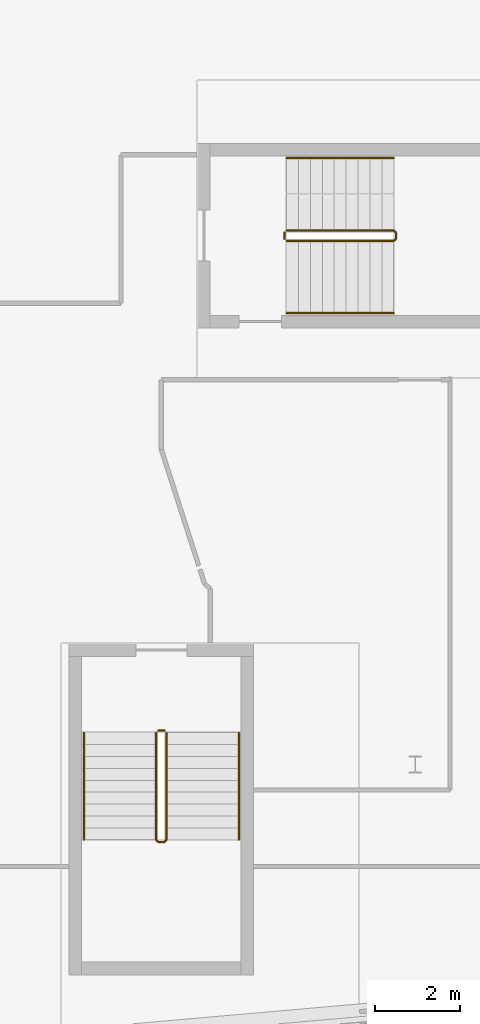
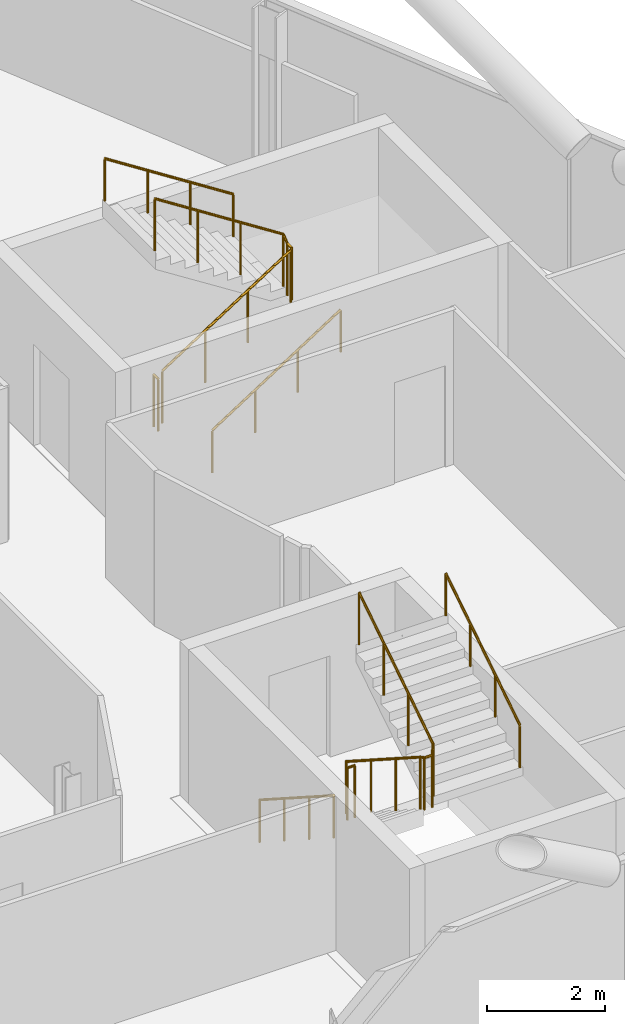
# One storey, part 26 of 27: 8 railings.
"""IFC4 building model written with IfcOpenShell, lengths in metres."""

from ifc_helpers import new_model, si_unit, direction, frame, origin, origin_2d, place, context, subcontext, project, spatial, circle, extrude, material, type_object, element, save


model = new_model("IFC4")

# Units and contexts
model_context = context("Model", 3, precision=1e-05, world=origin(), true_north=direction((0.0, 1.0)))
body_context = subcontext(model_context, "Body", "Model", "MODEL_VIEW")
ifc_project = project(units=[si_unit("LENGTHUNIT", "METRE"), si_unit("AREAUNIT", "SQUARE_METRE"), si_unit("VOLUMEUNIT", "CUBIC_METRE"), si_unit("PLANEANGLEUNIT", "RADIAN"), si_unit("MASSUNIT", "GRAM", prefix="KILO")], contexts=[model_context])

# Site, building, storey
site_placement = place(None, origin())
site = spatial("IfcSite", under=ifc_project, at=site_placement, CompositionType="ELEMENT")
building_placement = place(site_placement, origin())
building = spatial("IfcBuilding", under=site, at=building_placement, Name="Wharfspan Tower", CompositionType="ELEMENT")
storey_placement = place(building_placement, frame((0.0, 0.0, 243.100098)))
storey = spatial("IfcBuildingStorey", under=building, at=storey_placement, Name="L61", CompositionType="ELEMENT", Elevation=243.100098)

# Railings
ifc_material = material(Name="Steel S355J2", Category="steel")
railing_type_1 = type_object("IfcRailingType", Name="Stair guard 1100", PredefinedType="GUARDRAIL", material=ifc_material)
railing_1_placement = place(storey_placement, frame((65.893799, 12.246094, 0.179932)))
element("IfcRailing", 1, at=railing_1_placement, inside=storey, type_object=railing_type_1, Name="L61 ST5 stair guard 1", PredefinedType="GUARDRAIL", context=body_context, shape_type="SweptSolid", body=[
    extrude(circle(Radius=0.023926, at=origin_2d()), frame((0.0, 0.0, 1.076172), z_axis=(0.0, -0.8412, 0.540725), x_axis=(1.0, 0.0, 0.0)), (0.0, 0.0, 1.0), 2.99585),
    extrude(circle(Radius=0.023926, at=origin_2d()), frame((0.0, -2.52002, 2.695801), z_axis=(0.708834, -0.705376, 0.0), x_axis=(0.705376, 0.708834, 0.0)), (0.0, 0.0, 1.0), 0.070557),
    extrude(circle(Radius=0.023926, at=origin_2d()), frame((0.050049, -2.569824, 2.695801), z_axis=(1.0, 0.0, 0.0), x_axis=(0.0, 1.0, 0.0)), (0.0, 0.0, 1.0), 0.149902),
    extrude(circle(Radius=0.023926, at=origin_2d()), frame((0.199951, -2.569824, 2.695801), z_axis=(0.258628, 0.257366, 0.931061), x_axis=(-0.705372, 0.708838, -2e-06)), (0.0, 0.0, 1.0), 0.193604),
    extrude(circle(Radius=0.023926, at=origin_2d()), frame((0.25, -2.52002, 2.875977), z_axis=(0.0, 0.8412, 0.540725), x_axis=(-1.0, 0.0, 0.0)), (0.0, 0.0, 1.0), 2.99585),
    extrude(circle(Radius=0.020996, at=origin_2d()), origin(), (0.0, 0.0, 1.0), 1.052002),
    extrude(circle(Radius=0.020996, at=origin_2d()), frame((0.0, -0.840088, 0.540039)), (0.0, 0.0, 1.0), 1.052002),
    extrude(circle(Radius=0.020996, at=origin_2d()), frame((0.0, -1.679932, 1.079834)), (0.0, 0.0, 1.0), 1.052002),
    extrude(circle(Radius=0.020996, at=origin_2d()), frame((0.0, -2.52002, 1.619873)), (0.0, 0.0, 1.0), 1.052002),
    extrude(circle(Radius=0.020996, at=origin_2d()), frame((0.050049, -2.569824, 1.619873)), (0.0, 0.0, 1.0), 1.052002),
    extrude(circle(Radius=0.020996, at=origin_2d()), frame((0.199951, -2.569824, 1.619873)), (0.0, 0.0, 1.0), 1.052002),
    extrude(circle(Radius=0.020996, at=origin_2d()), frame((0.25, -2.52002, 1.800049)), (0.0, 0.0, 1.0), 1.052002),
    extrude(circle(Radius=0.020996, at=origin_2d()), frame((0.25, -1.679932, 2.340088)), (0.0, 0.0, 1.0), 1.052002),
    extrude(circle(Radius=0.020996, at=origin_2d()), frame((0.25, -0.840088, 2.879883)), (0.0, 0.0, 1.0), 1.052002),
    extrude(circle(Radius=0.020996, at=origin_2d()), frame((0.25, 0.0, 3.419922)), (0.0, 0.0, 1.0), 1.052002),
])
railing_2_placement = place(storey_placement, frame((65.943848, 12.296143, 0.0)))
element("IfcRailing", 2, at=railing_2_placement, inside=storey, type_object=railing_type_1, Name="L61 ST5 stair guard 2", PredefinedType="GUARDRAIL", context=body_context, shape_type="SweptSolid", body=[
    extrude(circle(Radius=0.023926, at=origin_2d()), frame((0.0, 0.0, 1.076172), z_axis=(1.0, 0.0, 0.0), x_axis=(0.0, 1.0, 0.0)), (0.0, 0.0, 1.0), 0.149902),
    extrude(circle(Radius=0.020996, at=origin_2d()), origin(), (0.0, 0.0, 1.0), 1.052002),
    extrude(circle(Radius=0.020996, at=origin_2d()), frame((0.149902, 0.0, 0.0)), (0.0, 0.0, 1.0), 1.052002),
])
railing_3_placement = place(storey_placement, frame((68.969482, 23.824951, 0.179932)))
element("IfcRailing", 3, at=railing_3_placement, inside=storey, type_object=railing_type_1, Name="L61 ST6 stair guard 1", PredefinedType="GUARDRAIL", context=body_context, shape_type="SweptSolid", body=[
    extrude(circle(Radius=0.023926, at=origin_2d()), frame((0.0, 0.0, 1.076172), z_axis=(0.8412, 0.0, 0.540725), x_axis=(0.0, 1.0, 0.0)), (0.0, 0.0, 1.0), 2.99585),
    extrude(circle(Radius=0.023926, at=origin_2d()), frame((2.52002, 0.0, 2.695801), z_axis=(0.707107, 0.707107, 0.0), x_axis=(-0.707107, 0.707107, 0.0)), (0.0, 0.0, 1.0), 0.070801),
    extrude(circle(Radius=0.023926, at=origin_2d()), frame((2.570068, 0.050049, 2.695801), z_axis=(0.0, 1.0, 0.0), x_axis=(-1.0, 0.0, 0.0)), (0.0, 0.0, 1.0), 0.149902),
    extrude(circle(Radius=0.023926, at=origin_2d()), frame((2.570068, 0.199951, 2.695801), z_axis=(-0.258544, 0.258544, 0.930758), x_axis=(-0.707107, -0.707107, 0.0)), (0.0, 0.0, 1.0), 0.193604),
    extrude(circle(Radius=0.023926, at=origin_2d()), frame((2.52002, 0.25, 2.875977), z_axis=(-0.8412, 0.0, 0.540725), x_axis=(0.0, -1.0, 0.0)), (0.0, 0.0, 1.0), 2.99585),
    extrude(circle(Radius=0.020996, at=origin_2d()), origin(), (0.0, 0.0, 1.0), 1.052002),
    extrude(circle(Radius=0.020996, at=origin_2d()), frame((0.840088, 0.0, 0.540039)), (0.0, 0.0, 1.0), 1.052002),
    extrude(circle(Radius=0.020996, at=origin_2d()), frame((1.679932, 0.0, 1.079834)), (0.0, 0.0, 1.0), 1.052002),
    extrude(circle(Radius=0.020996, at=origin_2d()), frame((2.52002, 0.0, 1.619873)), (0.0, 0.0, 1.0), 1.052002),
    extrude(circle(Radius=0.020996, at=origin_2d()), frame((2.570068, 0.050049, 1.619873)), (0.0, 0.0, 1.0), 1.052002),
    extrude(circle(Radius=0.020996, at=origin_2d()), frame((2.570068, 0.199951, 1.619873)), (0.0, 0.0, 1.0), 1.052002),
    extrude(circle(Radius=0.020996, at=origin_2d()), frame((2.52002, 0.25, 1.800049)), (0.0, 0.0, 1.0), 1.052002),
    extrude(circle(Radius=0.020996, at=origin_2d()), frame((1.679932, 0.25, 2.340088)), (0.0, 0.0, 1.0), 1.052002),
    extrude(circle(Radius=0.020996, at=origin_2d()), frame((0.840088, 0.25, 2.879883)), (0.0, 0.0, 1.0), 1.052002),
    extrude(circle(Radius=0.020996, at=origin_2d()), frame((0.0, 0.25, 3.419922)), (0.0, 0.0, 1.0), 1.052002),
])
railing_4_placement = place(storey_placement, frame((68.919678, 23.875, 0.0)))
element("IfcRailing", 4, at=railing_4_placement, inside=storey, type_object=railing_type_1, Name="L61 ST6 stair guard 2", PredefinedType="GUARDRAIL", context=body_context, shape_type="SweptSolid", body=[
    extrude(circle(Radius=0.023926, at=origin_2d()), frame((0.0, 0.0, 1.076172), z_axis=(0.0, 1.0, 0.0), x_axis=(-1.0, 0.0, 0.0)), (0.0, 0.0, 1.0), 0.149902),
    extrude(circle(Radius=0.020996, at=origin_2d()), origin(), (0.0, 0.0, 1.0), 1.052002),
    extrude(circle(Radius=0.020996, at=origin_2d()), frame((0.0, 0.149902, 0.0)), (0.0, 0.0, 1.0), 1.052002),
])
railing_type_2 = type_object("IfcRailingType", Name="Stair handrail 900", PredefinedType="HANDRAIL", material=ifc_material)
railing_5_placement = place(storey_placement, frame((64.193848, 12.246094, 0.179932)))
element("IfcRailing", 5, at=railing_5_placement, inside=storey, type_object=railing_type_2, Name="L61 ST5 stair handrail 1", PredefinedType="HANDRAIL", context=body_context, shape_type="SweptSolid", body=[
    extrude(circle(Radius=0.023926, at=origin_2d()), frame((0.0, 0.0, 0.875977), z_axis=(0.0, -0.8412, 0.540725), x_axis=(1.0, 0.0, 0.0)), (0.0, 0.0, 1.0), 2.99585),
    extrude(circle(Radius=0.020996, at=origin_2d()), origin(), (0.0, 0.0, 1.0), 0.851807),
    extrude(circle(Radius=0.020996, at=origin_2d()), frame((0.0, -0.840088, 0.540039)), (0.0, 0.0, 1.0), 0.851807),
    extrude(circle(Radius=0.020996, at=origin_2d()), frame((0.0, -1.679932, 1.079834)), (0.0, 0.0, 1.0), 0.851807),
    extrude(circle(Radius=0.020996, at=origin_2d()), frame((0.0, -2.52002, 1.619873)), (0.0, 0.0, 1.0), 0.851807),
])
railing_6_placement = place(storey_placement, frame((67.84375, 9.726074, 1.97998)))
element("IfcRailing", 6, at=railing_6_placement, inside=storey, type_object=railing_type_2, Name="L61 ST5 stair handrail 2", PredefinedType="HANDRAIL", context=body_context, shape_type="SweptSolid", body=[
    extrude(circle(Radius=0.023926, at=origin_2d()), frame((0.0, 0.0, 0.875977), z_axis=(0.0, 0.8412, 0.540725), x_axis=(-1.0, 0.0, 0.0)), (0.0, 0.0, 1.0), 2.99585),
    extrude(circle(Radius=0.020996, at=origin_2d()), origin(), (0.0, 0.0, 1.0), 0.851807),
    extrude(circle(Radius=0.020996, at=origin_2d()), frame((0.0, 0.840088, 0.540039)), (0.0, 0.0, 1.0), 0.851807),
    extrude(circle(Radius=0.020996, at=origin_2d()), frame((0.0, 1.679932, 1.079834)), (0.0, 0.0, 1.0), 0.851807),
    extrude(circle(Radius=0.020996, at=origin_2d()), frame((0.0, 2.52002, 1.619873)), (0.0, 0.0, 1.0), 0.851807),
])
railing_7_placement = place(storey_placement, frame((68.969482, 22.125, 0.179932)))
element("IfcRailing", 7, at=railing_7_placement, inside=storey, type_object=railing_type_2, Name="L61 ST6 stair handrail 1", PredefinedType="HANDRAIL", context=body_context, shape_type="SweptSolid", body=[
    extrude(circle(Radius=0.023926, at=origin_2d()), frame((0.0, 0.0, 0.875977), z_axis=(0.8412, 0.0, 0.540725), x_axis=(0.0, 1.0, 0.0)), (0.0, 0.0, 1.0), 2.99585),
    extrude(circle(Radius=0.020996, at=origin_2d()), origin(), (0.0, 0.0, 1.0), 0.851807),
    extrude(circle(Radius=0.020996, at=origin_2d()), frame((0.840088, 0.0, 0.540039)), (0.0, 0.0, 1.0), 0.851807),
    extrude(circle(Radius=0.020996, at=origin_2d()), frame((1.679932, 0.0, 1.079834)), (0.0, 0.0, 1.0), 0.851807),
    extrude(circle(Radius=0.020996, at=origin_2d()), frame((2.52002, 0.0, 1.619873)), (0.0, 0.0, 1.0), 0.851807),
])
railing_8_placement = place(storey_placement, frame((71.489502, 25.774902, 1.97998)))
element("IfcRailing", 8, at=railing_8_placement, inside=storey, type_object=railing_type_2, Name="L61 ST6 stair handrail 2", PredefinedType="HANDRAIL", context=body_context, shape_type="SweptSolid", body=[
    extrude(circle(Radius=0.023926, at=origin_2d()), frame((0.0, 0.0, 0.875977), z_axis=(-0.8412, 0.0, 0.540725), x_axis=(0.0, -1.0, 0.0)), (0.0, 0.0, 1.0), 2.99585),
    extrude(circle(Radius=0.020996, at=origin_2d()), origin(), (0.0, 0.0, 1.0), 0.851807),
    extrude(circle(Radius=0.020996, at=origin_2d()), frame((-0.840088, 0.0, 0.540039)), (0.0, 0.0, 1.0), 0.851807),
    extrude(circle(Radius=0.020996, at=origin_2d()), frame((-1.679932, 0.0, 1.079834)), (0.0, 0.0, 1.0), 0.851807),
    extrude(circle(Radius=0.020996, at=origin_2d()), frame((-2.52002, 0.0, 1.619873)), (0.0, 0.0, 1.0), 0.851807),
])

save(model, "model.ifc")
